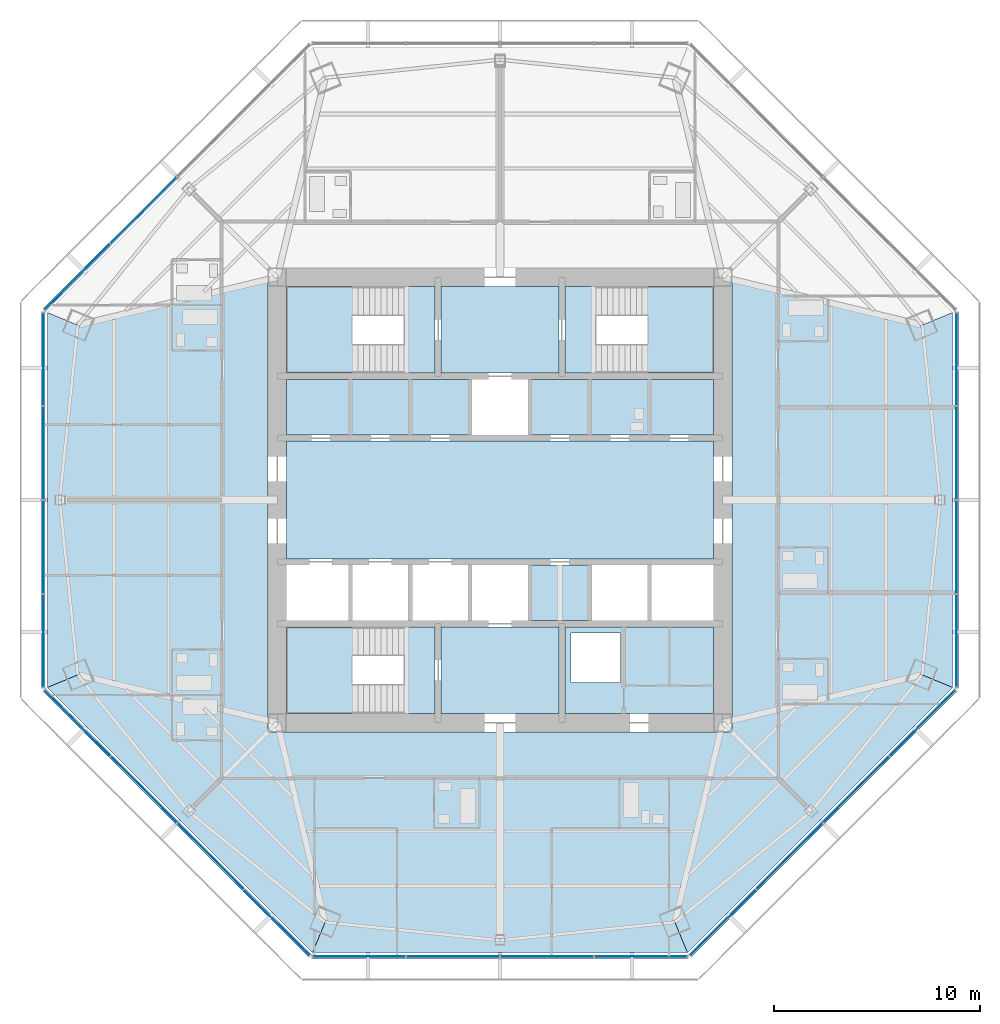
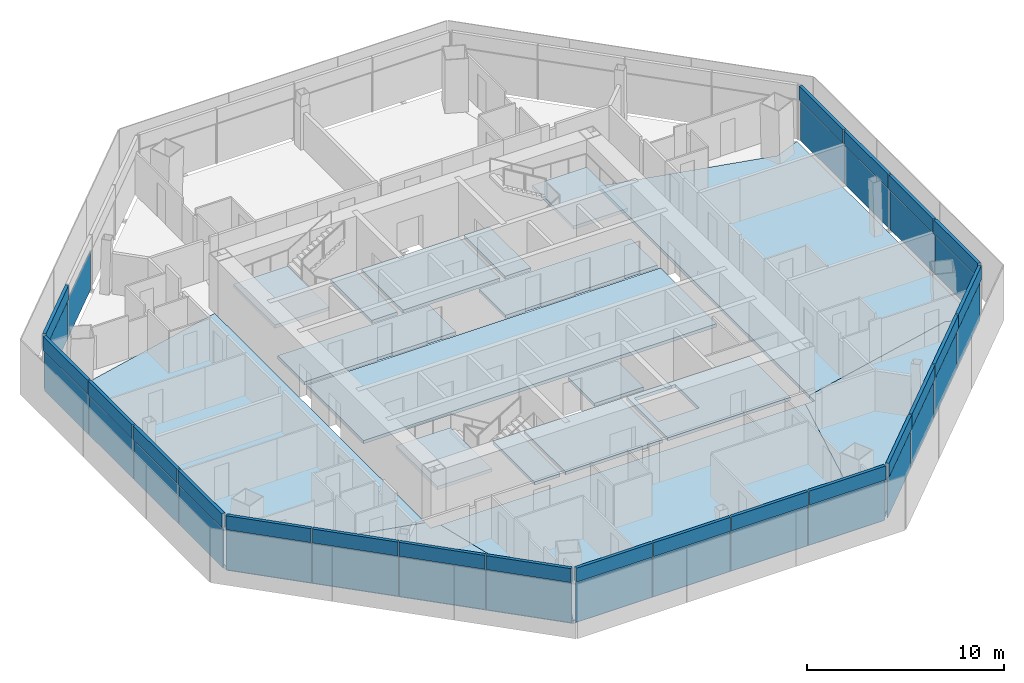
# One storey, part 7 of 15: 43 plates, 18 slabs, 9 elements without a shape of their own.
"""IFC4 building model written with IfcOpenShell, lengths in metres."""

import ifcopenshell
import ifcopenshell.guid

model = None  # the IFC model being written
_history = None  # IfcOwnerHistory: only IFC2X3 demands one
_inside = {}  # id of a spatial element -> (the spatial element, [elements in it])
_under = {}  # id of a project, library or spatial element -> (it, [spatial elements below it])
_declared = {}  # id of a project -> (the project, [libraries it declares])
_typed = {}  # id of a type object -> (the type object, [elements of that type])
_made_of = {}  # id of a material, layer set ... -> (it, [elements and type objects made of it])


def new_model(schema):
    """Start an empty IFC model of exactly this schema.

    Asked for "IFC4X3", IfcOpenShell would pick the latest addendum, in which some entities
    have other attributes; the version numbers below select the first issue.
    IFC2X3 requires an IfcOwnerHistory on every rooted entity: one is made here for all.
    """
    global model, _history
    if schema == "IFC4X3":
        model = ifcopenshell.file(schema_version=(4, 3, 0, 0))
    else:
        model = ifcopenshell.file(schema=schema)
    _inside.clear()
    _under.clear()
    _declared.clear()
    _typed.clear()
    _made_of.clear()
    _history = None
    if model.schema == "IFC2X3":
        org = make("IfcOrganization", Name="unknown")
        user = make(
            "IfcPersonAndOrganization",
            ThePerson=make("IfcPerson", FamilyName="unknown"),
            TheOrganization=org,
        )
        app = make(
            "IfcApplication",
            ApplicationDeveloper=org,
            Version="unknown",
            ApplicationFullName="unknown",
            ApplicationIdentifier="unknown",
        )
        _history = make(
            "IfcOwnerHistory",
            OwningUser=user,
            OwningApplication=app,
            ChangeAction="ADDED",
            CreationDate=0,
        )
    return model


def make(cls, **values):
    """One entity of the class cls with the attributes given. An attribute that is None is left unset."""
    return model.create_entity(
        cls, **{name: value for name, value in values.items() if value is not None}
    )


def rooted(cls, **values):
    """An entity with a GlobalId (a new one), such as an element, a storey or a relation."""
    return make(cls, GlobalId=ifcopenshell.guid.new(), OwnerHistory=_history, **values)


def si_unit(unit_type, name, prefix=None):
    """IfcSIUnit, for example si_unit("LENGTHUNIT", "METRE", prefix="MILLI")."""
    return make("IfcSIUnit", UnitType=unit_type, Prefix=prefix, Name=name)


def assignment(units):
    """IfcUnitAssignment: the units of a project."""
    return None if units is None else make("IfcUnitAssignment", Units=units)


def point(xyz):
    """IfcCartesianPoint."""
    return None if xyz is None else make("IfcCartesianPoint", Coordinates=xyz)


def direction(xyz):
    """IfcDirection."""
    return None if xyz is None else make("IfcDirection", DirectionRatios=xyz)


def frame(location, z_axis=None, x_axis=None):
    """IfcAxis2Placement3D, a coordinate frame: its origin and axes. An axis left out is left unset."""
    return make(
        "IfcAxis2Placement3D",
        Location=point(location),
        Axis=direction(z_axis),
        RefDirection=direction(x_axis),
    )


def frame_2d(location, x_axis=None):
    """IfcAxis2Placement2D, a coordinate frame in the plane: its origin and x axis."""
    return make(
        "IfcAxis2Placement2D", Location=point(location), RefDirection=direction(x_axis)
    )


def origin():
    """The frame at (0, 0, 0) with its axes left unset."""
    return frame((0.0, 0.0, 0.0))


def origin_2d():
    """The frame at (0, 0) in the plane with its x axis left unset."""
    return frame_2d((0.0, 0.0))


def place(relative_to, where):
    """IfcLocalPlacement: puts the frame where relative to a parent placement (None: the world)."""
    return make(
        "IfcLocalPlacement", PlacementRelTo=relative_to, RelativePlacement=where
    )


def context(
    kind, dimensions, precision=None, world=None, true_north=None, identifier=None
):
    """IfcGeometricRepresentationContext, for example the 3D "Model" context."""
    return make(
        "IfcGeometricRepresentationContext",
        ContextIdentifier=identifier,
        ContextType=kind,
        CoordinateSpaceDimension=dimensions,
        Precision=precision,
        WorldCoordinateSystem=world,
        TrueNorth=true_north,
    )


def subcontext(parent, identifier, kind, view, scale=None):
    """IfcGeometricRepresentationSubContext, for example "Body" below "Model"."""
    return make(
        "IfcGeometricRepresentationSubContext",
        ContextIdentifier=identifier,
        ContextType=kind,
        ParentContext=parent,
        TargetScale=scale,
        TargetView=view,
    )


def project(units=None, contexts=None):
    """IfcProject with its units and contexts."""
    return rooted(
        "IfcProject",
        Name="project",
        RepresentationContexts=contexts,
        UnitsInContext=assignment(units),
    )


def spatial(cls, under=None, at=None, **own):
    """A site, building, storey or space (cls), placed at a placement, below another one or the project."""
    s = rooted(cls, ObjectPlacement=at, **own)
    if under is not None:
        _under.setdefault(under.id(), (under, []))[1].append(s)
    return s


def polyline(points):
    """IfcPolyline through the points."""
    return make("IfcPolyline", Points=[point(p) for p in points])


def profile(cls, at=None, kind="AREA", **sizes):
    """A parametric profile (cls). Its sizes go by their IFC names, for example OverallWidth=200.0."""
    return make(cls, ProfileType=kind, Position=at, **sizes)


def rectangle(**sizes):
    """IfcRectangleProfileDef."""
    return profile("IfcRectangleProfileDef", **sizes)


def outline(outer, holes=None, kind="AREA"):
    """IfcArbitraryClosedProfileDef: a profile drawn as a closed curve; with holes, ...WithVoids."""
    if holes is None:
        return make("IfcArbitraryClosedProfileDef", ProfileType=kind, OuterCurve=outer)
    return make(
        "IfcArbitraryProfileDefWithVoids",
        ProfileType=kind,
        OuterCurve=outer,
        InnerCurves=holes,
    )


def extrude(swept, where, along, depth):
    """IfcExtrudedAreaSolid: the profile swept, set in the frame where, extruded along a direction by depth."""
    return make(
        "IfcExtrudedAreaSolid",
        SweptArea=swept,
        Position=where,
        ExtrudedDirection=direction(along),
        Depth=depth,
    )


def shape(context_of_items, identifier, shape_type, items):
    """IfcShapeRepresentation: the items that make up one representation, for example the "Body"."""
    return make(
        "IfcShapeRepresentation",
        ContextOfItems=context_of_items,
        RepresentationIdentifier=identifier,
        RepresentationType=shape_type,
        Items=items,
    )


def source(mapping_origin, context_of_items, identifier, shape_type, items):
    """IfcRepresentationMap: a shape defined once, which mapped items show again and again."""
    return make(
        "IfcRepresentationMap",
        MappingOrigin=mapping_origin,
        MappedRepresentation=shape(context_of_items, identifier, shape_type, items),
    )


def transform(
    local_origin,
    x_axis=None,
    y_axis=None,
    z_axis=None,
    scale=None,
    scale2=None,
    scale3=None,
    uniform=True,
):
    """IfcCartesianTransformationOperator3D, or its non-uniform kind. x_axis, y_axis, z_axis: its Axis1, 2, 3."""
    if uniform:
        return make(
            "IfcCartesianTransformationOperator3D",
            Axis1=direction(x_axis),
            Axis2=direction(y_axis),
            LocalOrigin=point(local_origin),
            Scale=scale,
            Axis3=direction(z_axis),
        )
    return make(
        "IfcCartesianTransformationOperator3DnonUniform",
        Axis1=direction(x_axis),
        Axis2=direction(y_axis),
        LocalOrigin=point(local_origin),
        Scale=scale,
        Axis3=direction(z_axis),
        Scale2=scale2,
        Scale3=scale3,
    )


def mapped(mapping_source, mapping_target):
    """IfcMappedItem: shows the shape of a source again, moved by a transform."""
    return make(
        "IfcMappedItem", MappingSource=mapping_source, MappingTarget=mapping_target
    )


def material(Name=None, Category=None):
    """IfcMaterial."""
    return make("IfcMaterial", Name=Name, Category=Category)


def layer(
    of_material, thickness, ventilated=None, Name=None, Category=None, Priority=None
):
    """IfcMaterialLayer: one layer of a wall or slab, of a material (None: an air gap)."""
    return make(
        "IfcMaterialLayer",
        Material=of_material,
        LayerThickness=thickness,
        IsVentilated=ventilated,
        Name=Name,
        Category=Category,
        Priority=Priority,
    )


def layer_set(layers, Name=None):
    """IfcMaterialLayerSet."""
    return make("IfcMaterialLayerSet", MaterialLayers=layers, LayerSetName=Name)


def made_of(thing, what):
    """Note that an element or type object is made of a material, layer set ...; save() writes the relation."""
    if what is not None:
        _made_of.setdefault(what.id(), (what, []))[1].append(thing)
    return thing


def type_object(cls, material=None, **own):
    """A type object (cls), such as IfcWallType, which elements share."""
    return made_of(rooted(cls, **own), material)


def type_shapes(of_type, sources):
    """Give a type object the sources (RepresentationMaps) that its elements show as mapped items."""
    of_type.RepresentationMaps = sources


def element(
    cls,
    number,
    at=None,
    inside=None,
    cuts=None,
    type_object=None,
    material=None,
    context=None,
    identifier="Body",
    shape_type=None,
    held_by="IfcProductDefinitionShape",
    body=None,
    shapes=None,
    **own,
):
    """One element of the class cls, such as IfcWall. Its Tag is "e" and its number.

    at: its placement. inside: the storey or other place that contains it. cuts: it is an
    opening in that element (IfcRelVoidsElement). A single representation is given by context,
    identifier, shape_type and body (its items); several are given by shapes. held_by: the class
    of the entity that holds the representations. save() writes the other relations.
    """
    e = rooted(cls, Tag="e%d" % number, ObjectPlacement=at, **own)
    if body is not None:
        shapes = [shape(context, identifier, shape_type, body)]
    if shapes is not None:
        e.Representation = make(held_by, Representations=shapes)
    if inside is not None:
        _inside.setdefault(inside.id(), (inside, []))[1].append(e)
    if cuts is not None:
        rooted(
            "IfcRelVoidsElement", RelatingBuildingElement=cuts, RelatedOpeningElement=e
        )
    if type_object is not None:
        _typed.setdefault(type_object.id(), (type_object, []))[1].append(e)
    return made_of(e, material)


def aggregate(whole, parts):
    """IfcRelAggregates: a whole, such as a stair, and the parts it consists of."""
    return rooted("IfcRelAggregates", RelatingObject=whole, RelatedObjects=parts)


def save(model, path):
    """Write the relations noted so far, then the file.

    IfcRelAggregates (storeys below a building ...), IfcRelContainedInSpatialStructure (elements
    in a storey), IfcRelDefinesByType, IfcRelAssociatesMaterial and IfcRelDeclares: one each for
    every whole, place, type object, material and project.
    """
    for whole, parts in _under.values():
        aggregate(whole, parts)
    for where, things in _inside.values():
        rooted(
            "IfcRelContainedInSpatialStructure",
            RelatedElements=things,
            RelatingStructure=where,
        )
    for kind, things in _typed.values():
        rooted("IfcRelDefinesByType", RelatedObjects=things, RelatingType=kind)
    for what, things in _made_of.values():
        rooted("IfcRelAssociatesMaterial", RelatedObjects=things, RelatingMaterial=what)
    for by, libraries in _declared.values():
        rooted("IfcRelDeclares", RelatingContext=by, RelatedDefinitions=libraries)
    model.write(path)


model = new_model("IFC4")

# Units and contexts
model_context = context("Model", 3, precision=1e-05, world=origin(), true_north=direction((0.0, 1.0)))
body_context = subcontext(model_context, "Body", "Model", "MODEL_VIEW")
ifc_project = project(units=[si_unit("LENGTHUNIT", "METRE"), si_unit("AREAUNIT", "SQUARE_METRE"), si_unit("VOLUMEUNIT", "CUBIC_METRE"), si_unit("PLANEANGLEUNIT", "RADIAN"), si_unit("MASSUNIT", "GRAM", prefix="KILO")], contexts=[model_context])

# Site, building, storey
site_placement = place(None, origin())
site = spatial("IfcSite", under=ifc_project, at=site_placement, CompositionType="ELEMENT")
building_placement = place(site_placement, origin())
building = spatial("IfcBuilding", under=site, at=building_placement, Name="Mashrafa Tower", CompositionType="ELEMENT")
storey_placement = place(building_placement, frame((0.0, 0.0, 207.39990234375)))
storey = spatial("IfcBuildingStorey", under=building, at=storey_placement, Name="L47", CompositionType="ELEMENT", Elevation=207.39990234375)

# Slabs
ifc_material_1 = material(Name="Concrete C35/45", Category="concrete")
ifc_layer_1 = layer(ifc_material_1, 0.199951171875)
ifc_layer_set_1 = layer_set([ifc_layer_1], Name="Floor slab 200")
slab_type_1 = type_object("IfcSlabType", Name="Floor slab 200", PredefinedType="FLOOR", material=ifc_layer_set_1)
slab_1_placement = place(storey_placement, frame((0.0, 0.0, -0.199951171875)))
element("IfcSlab", 1, at=slab_1_placement, inside=storey, type_object=slab_type_1, Name="Floor slab L47 east bay", PredefinedType="FLOOR", context=body_context, shape_type="SweptSolid", body=[
    extrude(outline(polyline([(21.94775390625, 9.091064453125), (21.94775390625, -9.091064453125), (21.94775390625, -9.091064453125), (20.47509765625, -8.481201171875), (11.25, -10.692138671875), (11.25, 10.692138671875), (20.47509765625, 8.481201171875), (21.94775390625, 9.091064453125), (21.94775390625, 9.091064453125)])), origin(), (0.0, 0.0, 1.0), 0.199951171875),
])
slab_2_placement = place(storey_placement, frame((0.0, 0.0, -0.199951171875)))
element("IfcSlab", 2, at=slab_2_placement, inside=storey, type_object=slab_type_1, Name="Floor slab L47 west bay", PredefinedType="FLOOR", context=body_context, shape_type="SweptSolid", body=[
    extrude(outline(polyline([(-21.94775390625, -9.091064453125), (-21.94775390625, 9.091064453125), (-21.94775390625, 9.091064453125), (-20.47509765625, 8.481201171875), (-11.25, 10.692138671875), (-11.25, -10.692138671875), (-20.47509765625, -8.481201171875), (-21.94775390625, -9.091064453125), (-21.94775390625, -9.091064453125)])), origin(), (0.0, 0.0, 1.0), 0.199951171875),
])
slab_3_placement = place(storey_placement, frame((0.0, 0.0, -0.199951171875)))
element("IfcSlab", 3, at=slab_3_placement, inside=storey, type_object=slab_type_1, Name="Floor slab L47 south-west bay", PredefinedType="FLOOR", context=body_context, shape_type="SweptSolid", body=[
    extrude(outline(polyline([(-21.94775390625, -9.091064453125), (-20.47509765625, -8.481201171875), (-11.25, -10.692138671875), (-11.25, -11.25), (-10.692138671875, -11.25), (-8.481201171875, -20.47509765625), (-9.091064453125, -21.94775390625), (-21.94775390625, -9.091064453125)])), origin(), (0.0, 0.0, 1.0), 0.199951171875),
])
slab_4_placement = place(storey_placement, frame((0.0, 0.0, -0.199951171875)))
element("IfcSlab", 4, at=slab_4_placement, inside=storey, type_object=slab_type_1, Name="Floor slab L47 south bay", PredefinedType="FLOOR", context=body_context, shape_type="SweptSolid", body=[
    extrude(outline(polyline([(-9.091064453125, -21.94775390625), (-9.091064453125, -21.94775390625), (-8.481201171875, -20.47509765625), (-10.692138671875, -11.25), (10.692138671875, -11.25), (8.481201171875, -20.47509765625), (9.091064453125, -21.94775390625), (9.091064453125, -21.94775390625), (-9.091064453125, -21.94775390625)])), origin(), (0.0, 0.0, 1.0), 0.199951171875),
])
slab_5_placement = place(storey_placement, frame((0.0, 0.0, -0.199951171875)))
element("IfcSlab", 5, at=slab_5_placement, inside=storey, type_object=slab_type_1, Name="Floor slab L47 south-east bay", PredefinedType="FLOOR", context=body_context, shape_type="SweptSolid", body=[
    extrude(outline(polyline([(9.091064453125, -21.94775390625), (8.481201171875, -20.47509765625), (10.692138671875, -11.25), (11.25, -11.25), (11.25, -10.692138671875), (20.47509765625, -8.481201171875), (21.94775390625, -9.091064453125), (9.091064453125, -21.94775390625)])), origin(), (0.0, 0.0, 1.0), 0.199951171875),
])
slab_6_placement = place(storey_placement, frame((0.0, 0.0, -0.199951171875)))
element("IfcSlab", 6, at=slab_6_placement, inside=storey, type_object=slab_type_1, Name="Core floor lift hall L47", PredefinedType="FLOOR", context=body_context, shape_type="SweptSolid", body=[
    extrude(outline(polyline([(-10.35009765625, 2.85009765625), (10.35009765625, 2.85009765625), (10.35009765625, -2.85009765625), (-10.35009765625, -2.85009765625), (-10.35009765625, 2.85009765625)])), origin(), (0.0, 0.0, 1.0), 0.199951171875),
])
slab_7_placement = place(storey_placement, frame((0.0, 0.0, -0.199951171875)))
element("IfcSlab", 7, at=slab_7_placement, inside=storey, type_object=slab_type_1, Name="Core floor riser and electrical band L47", PredefinedType="FLOOR", context=body_context, shape_type="SweptSolid", body=[
    extrude(outline(polyline([(10.35009765625, -6.14990234375), (10.35009765625, -10.35009765625), (3.14990234375, -10.35009765625), (3.14990234375, -6.14990234375), (10.35009765625, -6.14990234375)]), holes=[polyline([(3.449951171875, -8.85009765625), (5.85009765625, -8.85009765625), (5.85009765625, -6.449951171875), (3.449951171875, -6.449951171875), (3.449951171875, -8.85009765625)])]), origin(), (0.0, 0.0, 1.0), 0.199951171875),
])
slab_8_placement = place(storey_placement, frame((0.0, 0.0, -0.199951171875)))
element("IfcSlab", 8, at=slab_8_placement, inside=storey, type_object=slab_type_1, Name="Core floor lift cell L47", PredefinedType="FLOOR", context=body_context, shape_type="SweptSolid", body=[
    extrude(outline(polyline([(-10.35009765625, 5.85009765625), (-1.449951171875, 5.85009765625), (-1.449951171875, 3.14990234375), (-10.35009765625, 3.14990234375), (-10.35009765625, 5.85009765625)])), origin(), (0.0, 0.0, 1.0), 0.199951171875),
])
slab_9_placement = place(storey_placement, frame((0.0, 0.0, -0.199951171875)))
element("IfcSlab", 9, at=slab_9_placement, inside=storey, type_object=slab_type_1, Name="Core floor lift cell L47", PredefinedType="FLOOR", context=body_context, shape_type="SweptSolid", body=[
    extrude(outline(polyline([(1.449951171875, 5.85009765625), (10.35009765625, 5.85009765625), (10.35009765625, 3.14990234375), (1.449951171875, 3.14990234375), (1.449951171875, 5.85009765625)])), origin(), (0.0, 0.0, 1.0), 0.199951171875),
])
slab_10_placement = place(storey_placement, frame((0.0, 0.0, -0.199951171875)))
element("IfcSlab", 10, at=slab_10_placement, inside=storey, type_object=slab_type_1, Name="Core floor fire-fighting lobby south L47", PredefinedType="FLOOR", context=body_context, shape_type="SweptSolid", body=[
    extrude(outline(polyline([(2.85009765625, -6.14990234375), (2.85009765625, -10.35009765625), (-2.85009765625, -10.35009765625), (-2.85009765625, -6.14990234375), (2.85009765625, -6.14990234375)])), origin(), (0.0, 0.0, 1.0), 0.199951171875),
])
slab_11_placement = place(storey_placement, frame((0.0, 0.0, -0.199951171875)))
element("IfcSlab", 11, at=slab_11_placement, inside=storey, type_object=slab_type_1, Name="Core floor fire-fighting lobby north L47", PredefinedType="FLOOR", context=body_context, shape_type="SweptSolid", body=[
    extrude(outline(polyline([(-2.85009765625, 10.35009765625), (2.85009765625, 10.35009765625), (2.85009765625, 6.14990234375), (-2.85009765625, 6.14990234375), (-2.85009765625, 10.35009765625)])), origin(), (0.0, 0.0, 1.0), 0.199951171875),
])
slab_12_placement = place(storey_placement, frame((0.0, 0.0, -0.199951171875)))
element("IfcSlab", 12, at=slab_12_placement, inside=storey, type_object=slab_type_1, Name="Core floor lift cell L47", PredefinedType="FLOOR", context=body_context, shape_type="SweptSolid", body=[
    extrude(outline(polyline([(4.35009765625, -3.14990234375), (4.35009765625, -5.85009765625), (1.449951171875, -5.85009765625), (1.449951171875, -3.14990234375), (4.35009765625, -3.14990234375)])), origin(), (0.0, 0.0, 1.0), 0.199951171875),
])

# Stair, slabs
ifc_material_2 = material(Name="Exit stair 1400")
stair_type = type_object("IfcStairType", Name="Exit stair 1400", PredefinedType="HALF_TURN_STAIR", material=ifc_material_2)
stair_1_placement = place(storey_placement, origin())
stair_1 = element("IfcStair", 13, at=stair_1_placement, inside=storey, type_object=stair_type, Name="Stair S1 L47", PredefinedType="HALF_TURN_STAIR")
ifc_material_3 = material(Name="Concrete C32/40", Category="concrete")
ifc_layer_2 = layer(ifc_material_3, 0.199951171875)
ifc_layer_set_2 = layer_set([ifc_layer_2], Name="Stair landing 200")
slab_type_2 = type_object("IfcSlabType", Name="Stair landing 200", PredefinedType="LANDING", material=ifc_layer_set_2)
slab_13_placement = place(storey_placement, frame((0.0, 0.0, -0.199951171875)))
slab_13 = element("IfcSlab", 14, at=slab_13_placement, type_object=slab_type_2, Name="S1 landing 1", PredefinedType="LANDING", context=body_context, shape_type="SweptSolid", body=[
    extrude(outline(polyline([(-4.659912109375, 6.14990234375), (-3.14990234375, 6.14990234375), (-3.14990234375, 10.35009765625), (-4.659912109375, 10.35009765625), (-4.659912109375, 6.14990234375)])), origin(), (0.0, 0.0, 1.0), 0.199951171875),
])
slab_14_placement = place(storey_placement, frame((0.0, 0.0, 1.5)))
slab_14 = element("IfcSlab", 15, at=slab_14_placement, type_object=slab_type_2, Name="S1 landing 2", PredefinedType="LANDING", context=body_context, shape_type="SweptSolid", body=[
    extrude(outline(polyline([(-10.35009765625, 6.14990234375), (-7.159912109375, 6.14990234375), (-7.159912109375, 10.35009765625), (-10.35009765625, 10.35009765625), (-10.35009765625, 6.14990234375)])), origin(), (0.0, 0.0, 1.0), 0.2001953125),
])
aggregate(stair_1, [slab_13, slab_14])

stair_2_placement = place(storey_placement, origin())
stair_2 = element("IfcStair", 16, at=stair_2_placement, inside=storey, type_object=stair_type, Name="Stair S2 L47", PredefinedType="HALF_TURN_STAIR")
slab_15_placement = place(storey_placement, frame((0.0, 0.0, -0.199951171875)))
slab_15 = element("IfcSlab", 17, at=slab_15_placement, type_object=slab_type_2, Name="S2 landing 1", PredefinedType="LANDING", context=body_context, shape_type="SweptSolid", body=[
    extrude(outline(polyline([(3.14990234375, 6.14990234375), (4.659912109375, 6.14990234375), (4.659912109375, 10.35009765625), (3.14990234375, 10.35009765625), (3.14990234375, 6.14990234375)])), origin(), (0.0, 0.0, 1.0), 0.199951171875),
])
slab_16_placement = place(storey_placement, frame((0.0, 0.0, 1.5)))
slab_16 = element("IfcSlab", 18, at=slab_16_placement, type_object=slab_type_2, Name="S2 landing 2", PredefinedType="LANDING", context=body_context, shape_type="SweptSolid", body=[
    extrude(outline(polyline([(7.159912109375, 6.14990234375), (10.35009765625, 6.14990234375), (10.35009765625, 10.35009765625), (7.159912109375, 10.35009765625), (7.159912109375, 6.14990234375)])), origin(), (0.0, 0.0, 1.0), 0.2001953125),
])
aggregate(stair_2, [slab_15, slab_16])

stair_3_placement = place(storey_placement, origin())
stair_3 = element("IfcStair", 19, at=stair_3_placement, inside=storey, type_object=stair_type, Name="Stair S3 L47", PredefinedType="HALF_TURN_STAIR")
slab_17_placement = place(storey_placement, frame((0.0, 0.0, -0.199951171875)))
slab_17 = element("IfcSlab", 20, at=slab_17_placement, type_object=slab_type_2, Name="S3 landing 1", PredefinedType="LANDING", context=body_context, shape_type="SweptSolid", body=[
    extrude(outline(polyline([(-4.659912109375, -10.35009765625), (-3.14990234375, -10.35009765625), (-3.14990234375, -6.14990234375), (-4.659912109375, -6.14990234375), (-4.659912109375, -10.35009765625)])), origin(), (0.0, 0.0, 1.0), 0.199951171875),
])
slab_18_placement = place(storey_placement, frame((0.0, 0.0, 1.5)))
slab_18 = element("IfcSlab", 21, at=slab_18_placement, type_object=slab_type_2, Name="S3 landing 2", PredefinedType="LANDING", context=body_context, shape_type="SweptSolid", body=[
    extrude(outline(polyline([(-10.35009765625, -10.35009765625), (-7.159912109375, -10.35009765625), (-7.159912109375, -6.14990234375), (-10.35009765625, -6.14990234375), (-10.35009765625, -10.35009765625)])), origin(), (0.0, 0.0, 1.0), 0.2001953125),
])
aggregate(stair_3, [slab_17, slab_18])

# Curtain wall, plates
ifc_material_4 = material(Name="Unitised aluminium curtain wall", Category="aluminium")
curtain_wall_type = type_object("IfcCurtainWallType", Name="Apartment curtain wall, zone 3 CW-C 180 deep", PredefinedType="NOTDEFINED", material=ifc_material_4)
curtain_wall_1_placement = place(storey_placement, origin())
curtain_wall_1 = element("IfcCurtainWall", 22, at=curtain_wall_1_placement, inside=storey, type_object=curtain_wall_type, Name="Apartment curtain wall, zone 3 L47 east", PredefinedType="NOTDEFINED")
ifc_material_5 = material(Name="Insulated double glazing, acoustic", Category="glass")
ifc_layer_3 = layer(ifc_material_5, 0.028076171875)
ifc_layer_set_3 = layer_set([ifc_layer_3], Name="Vision panel CW-C 28")
plate_type_1 = type_object("IfcPlateType", Name="Vision panel CW-C 28", PredefinedType="CURTAIN_PANEL", material=ifc_layer_set_3)
shared_shape_1 = source(origin(), body_context, "Body", "SweptSolid", [
    extrude(rectangle(XDim=4.473388671875, YDim=0.028076171875, at=origin_2d()), origin(), (0.0, 0.0, 1.0), 2.46240234375),
])
plate_1_placement = place(storey_placement, frame((22.147705078125, -6.829833984375, 0.000244140625), z_axis=(0.0, 0.0, 1.0), x_axis=(0.0, 1.0, 0.0)))
plate_1 = element("IfcPlate", 23, at=plate_1_placement, type_object=plate_type_1, Name="CW-C vision panel 1", PredefinedType="CURTAIN_PANEL", context=body_context, shape_type="MappedRepresentation", body=[
    mapped(shared_shape_1, transform((0.0, 0.0, 0.0))),
])
plate_2_placement = place(storey_placement, frame((22.147705078125, 6.829833984375, 0.000244140625), z_axis=(0.0, 0.0, 1.0), x_axis=(0.0, 1.0, 0.0)))
plate_2 = element("IfcPlate", 24, at=plate_2_placement, type_object=plate_type_1, Name="CW-C vision panel 4", PredefinedType="CURTAIN_PANEL", context=body_context, shape_type="MappedRepresentation", body=[
    mapped(shared_shape_1, transform((0.0, 0.0, 0.0))),
])

# Curtain wall, plate
curtain_wall_2_placement = place(storey_placement, origin())
curtain_wall_2 = element("IfcCurtainWall", 25, at=curtain_wall_2_placement, inside=storey, type_object=curtain_wall_type, Name="Apartment curtain wall, zone 3 L47 north-west", PredefinedType="NOTDEFINED")
plate_3_placement = place(storey_placement, frame((-20.490234375, 10.831298828125, 0.000244140625), z_axis=(0.0, 0.0, 1.0), x_axis=(-0.707106781187, -0.707106781187, 0.0)))
plate_3 = element("IfcPlate", 26, at=plate_3_placement, type_object=plate_type_1, Name="CW-C vision panel 4", PredefinedType="CURTAIN_PANEL", context=body_context, shape_type="MappedRepresentation", body=[
    mapped(shared_shape_1, transform((0.0, 0.0, 0.0))),
])

# Curtain wall, plates
curtain_wall_3_placement = place(storey_placement, origin())
curtain_wall_3 = element("IfcCurtainWall", 27, at=curtain_wall_3_placement, inside=storey, type_object=curtain_wall_type, Name="Apartment curtain wall, zone 3 L47 west", PredefinedType="NOTDEFINED")
plate_4_placement = place(storey_placement, frame((-22.147705078125, 6.829833984375, 0.000244140625), z_axis=(0.0, 0.0, 1.0), x_axis=(0.0, -1.0, 0.0)))
plate_4 = element("IfcPlate", 28, at=plate_4_placement, type_object=plate_type_1, Name="CW-C vision panel 1", PredefinedType="CURTAIN_PANEL", context=body_context, shape_type="MappedRepresentation", body=[
    mapped(shared_shape_1, transform((0.0, 0.0, 0.0))),
])
plate_5_placement = place(storey_placement, frame((-22.147705078125, -6.829833984375, 0.000244140625), z_axis=(0.0, 0.0, 1.0), x_axis=(0.0, -1.0, 0.0)))
plate_5 = element("IfcPlate", 29, at=plate_5_placement, type_object=plate_type_1, Name="CW-C vision panel 4", PredefinedType="CURTAIN_PANEL", context=body_context, shape_type="MappedRepresentation", body=[
    mapped(shared_shape_1, transform((0.0, 0.0, 0.0))),
])

curtain_wall_4_placement = place(storey_placement, origin())
curtain_wall_4 = element("IfcCurtainWall", 30, at=curtain_wall_4_placement, inside=storey, type_object=curtain_wall_type, Name="Apartment curtain wall, zone 3 L47 south-west", PredefinedType="NOTDEFINED")
plate_6_placement = place(storey_placement, frame((-20.490234375, -10.831298828125, 0.000244140625), z_axis=(0.0, 0.0, 1.0), x_axis=(0.707106781187, -0.707106781187, 0.0)))
plate_6 = element("IfcPlate", 31, at=plate_6_placement, type_object=plate_type_1, Name="CW-C vision panel 1", PredefinedType="CURTAIN_PANEL", context=body_context, shape_type="MappedRepresentation", body=[
    mapped(shared_shape_1, transform((0.0, 0.0, 0.0))),
])
plate_7_placement = place(storey_placement, frame((-10.831298828125, -20.490234375, 0.000244140625), z_axis=(0.0, 0.0, 1.0), x_axis=(0.707106781187, -0.707106781187, 0.0)))
plate_7 = element("IfcPlate", 32, at=plate_7_placement, type_object=plate_type_1, Name="CW-C vision panel 4", PredefinedType="CURTAIN_PANEL", context=body_context, shape_type="MappedRepresentation", body=[
    mapped(shared_shape_1, transform((0.0, 0.0, 0.0))),
])

curtain_wall_5_placement = place(storey_placement, origin())
curtain_wall_5 = element("IfcCurtainWall", 33, at=curtain_wall_5_placement, inside=storey, type_object=curtain_wall_type, Name="Apartment curtain wall, zone 3 L47 south", PredefinedType="NOTDEFINED")
plate_8_placement = place(storey_placement, frame((-6.829833984375, -22.147705078125, 0.000244140625), z_axis=(0.0, 0.0, 1.0), x_axis=(1.0, 0.0, 0.0)))
plate_8 = element("IfcPlate", 34, at=plate_8_placement, type_object=plate_type_1, Name="CW-C vision panel 1", PredefinedType="CURTAIN_PANEL", context=body_context, shape_type="MappedRepresentation", body=[
    mapped(shared_shape_1, transform((0.0, 0.0, 0.0))),
])
plate_9_placement = place(storey_placement, frame((6.829833984375, -22.147705078125, 0.000244140625), z_axis=(0.0, 0.0, 1.0), x_axis=(1.0, 0.0, 0.0)))
plate_9 = element("IfcPlate", 35, at=plate_9_placement, type_object=plate_type_1, Name="CW-C vision panel 4", PredefinedType="CURTAIN_PANEL", context=body_context, shape_type="MappedRepresentation", body=[
    mapped(shared_shape_1, transform((0.0, 0.0, 0.0))),
])

curtain_wall_6_placement = place(storey_placement, origin())
curtain_wall_6 = element("IfcCurtainWall", 36, at=curtain_wall_6_placement, inside=storey, type_object=curtain_wall_type, Name="Apartment curtain wall, zone 3 L47 south-east", PredefinedType="NOTDEFINED")
plate_10_placement = place(storey_placement, frame((10.831298828125, -20.490234375, 0.000244140625), z_axis=(0.0, 0.0, 1.0), x_axis=(0.707106781187, 0.707106781187, 0.0)))
plate_10 = element("IfcPlate", 37, at=plate_10_placement, type_object=plate_type_1, Name="CW-C vision panel 1", PredefinedType="CURTAIN_PANEL", context=body_context, shape_type="MappedRepresentation", body=[
    mapped(shared_shape_1, transform((0.0, 0.0, 0.0))),
])
plate_11_placement = place(storey_placement, frame((20.490234375, -10.831298828125, 0.000244140625), z_axis=(0.0, 0.0, 1.0), x_axis=(0.707106781187, 0.707106781187, 0.0)))
plate_11 = element("IfcPlate", 38, at=plate_11_placement, type_object=plate_type_1, Name="CW-C vision panel 4", PredefinedType="CURTAIN_PANEL", context=body_context, shape_type="MappedRepresentation", body=[
    mapped(shared_shape_1, transform((0.0, 0.0, 0.0))),
])

# Plate
ifc_material_6 = material(Name="Insulated bronze aluminium spandrel panel", Category="aluminium")
ifc_layer_4 = layer(ifc_material_6, 0.179931640625)
ifc_layer_set_4 = layer_set([ifc_layer_4], Name="Spandrel panel CW-C 180")
plate_type_2 = type_object("IfcPlateType", Name="Spandrel panel CW-C 180", PredefinedType="CURTAIN_PANEL", material=ifc_layer_set_4)
shared_shape_2 = source(origin(), body_context, "Body", "SweptSolid", [
    extrude(rectangle(XDim=4.473388671875, YDim=0.179931640625, at=origin_2d()), origin(), (0.0, 0.0, 1.0), 0.862548828125),
])
plate_12_placement = place(storey_placement, frame((22.147705078125, -6.829833984375, 2.53759765625), z_axis=(0.0, 0.0, 1.0), x_axis=(0.0, 1.0, 0.0)))
plate_12 = element("IfcPlate", 39, at=plate_12_placement, type_object=plate_type_2, Name="CW-C spandrel panel 1", PredefinedType="CURTAIN_PANEL", context=body_context, shape_type="MappedRepresentation", body=[
    mapped(shared_shape_2, transform((0.0, 0.0, 0.0))),
])

plate_13_placement = place(storey_placement, frame((22.147705078125, 6.829833984375, 2.53759765625), z_axis=(0.0, 0.0, 1.0), x_axis=(0.0, 1.0, 0.0)))
plate_13 = element("IfcPlate", 40, at=plate_13_placement, type_object=plate_type_2, Name="CW-C spandrel panel 4", PredefinedType="CURTAIN_PANEL", context=body_context, shape_type="MappedRepresentation", body=[
    mapped(shared_shape_2, transform((0.0, 0.0, 0.0))),
])

plate_14_placement = place(storey_placement, frame((-20.490234375, 10.831298828125, 2.53759765625), z_axis=(0.0, 0.0, 1.0), x_axis=(-0.707106781187, -0.707106781187, 0.0)))
plate_14 = element("IfcPlate", 41, at=plate_14_placement, type_object=plate_type_2, Name="CW-C spandrel panel 4", PredefinedType="CURTAIN_PANEL", context=body_context, shape_type="MappedRepresentation", body=[
    mapped(shared_shape_2, transform((0.0, 0.0, 0.0))),
])

plate_15_placement = place(storey_placement, frame((-22.147705078125, 6.829833984375, 2.53759765625), z_axis=(0.0, 0.0, 1.0), x_axis=(0.0, -1.0, 0.0)))
plate_15 = element("IfcPlate", 42, at=plate_15_placement, type_object=plate_type_2, Name="CW-C spandrel panel 1", PredefinedType="CURTAIN_PANEL", context=body_context, shape_type="MappedRepresentation", body=[
    mapped(shared_shape_2, transform((0.0, 0.0, 0.0))),
])

plate_16_placement = place(storey_placement, frame((-22.147705078125, -6.829833984375, 2.53759765625), z_axis=(0.0, 0.0, 1.0), x_axis=(0.0, -1.0, 0.0)))
plate_16 = element("IfcPlate", 43, at=plate_16_placement, type_object=plate_type_2, Name="CW-C spandrel panel 4", PredefinedType="CURTAIN_PANEL", context=body_context, shape_type="MappedRepresentation", body=[
    mapped(shared_shape_2, transform((0.0, 0.0, 0.0))),
])

plate_17_placement = place(storey_placement, frame((-20.490234375, -10.831298828125, 2.53759765625), z_axis=(0.0, 0.0, 1.0), x_axis=(0.707106781187, -0.707106781187, 0.0)))
plate_17 = element("IfcPlate", 44, at=plate_17_placement, type_object=plate_type_2, Name="CW-C spandrel panel 1", PredefinedType="CURTAIN_PANEL", context=body_context, shape_type="MappedRepresentation", body=[
    mapped(shared_shape_2, transform((0.0, 0.0, 0.0))),
])

plate_18_placement = place(storey_placement, frame((-10.831298828125, -20.490234375, 2.53759765625), z_axis=(0.0, 0.0, 1.0), x_axis=(0.707106781187, -0.707106781187, 0.0)))
plate_18 = element("IfcPlate", 45, at=plate_18_placement, type_object=plate_type_2, Name="CW-C spandrel panel 4", PredefinedType="CURTAIN_PANEL", context=body_context, shape_type="MappedRepresentation", body=[
    mapped(shared_shape_2, transform((0.0, 0.0, 0.0))),
])

plate_19_placement = place(storey_placement, frame((-6.829833984375, -22.147705078125, 2.53759765625), z_axis=(0.0, 0.0, 1.0), x_axis=(1.0, 0.0, 0.0)))
plate_19 = element("IfcPlate", 46, at=plate_19_placement, type_object=plate_type_2, Name="CW-C spandrel panel 1", PredefinedType="CURTAIN_PANEL", context=body_context, shape_type="MappedRepresentation", body=[
    mapped(shared_shape_2, transform((0.0, 0.0, 0.0))),
])

plate_20_placement = place(storey_placement, frame((6.829833984375, -22.147705078125, 2.53759765625), z_axis=(0.0, 0.0, 1.0), x_axis=(1.0, 0.0, 0.0)))
plate_20 = element("IfcPlate", 47, at=plate_20_placement, type_object=plate_type_2, Name="CW-C spandrel panel 4", PredefinedType="CURTAIN_PANEL", context=body_context, shape_type="MappedRepresentation", body=[
    mapped(shared_shape_2, transform((0.0, 0.0, 0.0))),
])

plate_21_placement = place(storey_placement, frame((10.831298828125, -20.490234375, 2.53759765625), z_axis=(0.0, 0.0, 1.0), x_axis=(0.707106781187, 0.707106781187, 0.0)))
plate_21 = element("IfcPlate", 48, at=plate_21_placement, type_object=plate_type_2, Name="CW-C spandrel panel 1", PredefinedType="CURTAIN_PANEL", context=body_context, shape_type="MappedRepresentation", body=[
    mapped(shared_shape_2, transform((0.0, 0.0, 0.0))),
])

plate_22_placement = place(storey_placement, frame((20.490234375, -10.831298828125, 2.53759765625), z_axis=(0.0, 0.0, 1.0), x_axis=(0.707106781187, 0.707106781187, 0.0)))
plate_22 = element("IfcPlate", 49, at=plate_22_placement, type_object=plate_type_2, Name="CW-C spandrel panel 4", PredefinedType="CURTAIN_PANEL", context=body_context, shape_type="MappedRepresentation", body=[
    mapped(shared_shape_2, transform((0.0, 0.0, 0.0))),
])

shared_shape_3 = source(origin(), body_context, "Body", "SweptSolid", [
    extrude(rectangle(XDim=4.503173828125, YDim=0.028076171875, at=origin_2d()), origin(), (0.0, 0.0, 1.0), 2.46240234375),
])
type_shapes(plate_type_1, [shared_shape_1, shared_shape_3])
plate_23_placement = place(storey_placement, frame((22.147705078125, -2.28173828125, 0.000244140625), z_axis=(0.0, 0.0, 1.0), x_axis=(0.0, 1.0, 0.0)))
plate_23 = element("IfcPlate", 50, at=plate_23_placement, type_object=plate_type_1, Name="CW-C vision panel 2", PredefinedType="CURTAIN_PANEL", context=body_context, shape_type="MappedRepresentation", body=[
    mapped(shared_shape_3, transform((0.0, 0.0, 0.0))),
])

plate_24_placement = place(storey_placement, frame((22.147705078125, 2.28173828125, 0.000244140625), z_axis=(0.0, 0.0, 1.0), x_axis=(0.0, 1.0, 0.0)))
plate_24 = element("IfcPlate", 51, at=plate_24_placement, type_object=plate_type_1, Name="CW-C vision panel 3", PredefinedType="CURTAIN_PANEL", context=body_context, shape_type="MappedRepresentation", body=[
    mapped(shared_shape_3, transform((0.0, 0.0, 0.0))),
])

plate_25_placement = place(storey_placement, frame((-17.274169921875, 14.04736328125, 0.000244140625), z_axis=(0.0, 0.0, 1.0), x_axis=(-0.707106781187, -0.707106781187, 0.0)))
plate_25 = element("IfcPlate", 52, at=plate_25_placement, type_object=plate_type_1, Name="CW-C vision panel 3", PredefinedType="CURTAIN_PANEL", context=body_context, shape_type="MappedRepresentation", body=[
    mapped(shared_shape_3, transform((0.0, 0.0, 0.0))),
])

aggregate(curtain_wall_2, [plate_25, plate_3, plate_14])

plate_26_placement = place(storey_placement, frame((-22.147705078125, 2.28173828125, 0.000244140625), z_axis=(0.0, 0.0, 1.0), x_axis=(0.0, -1.0, 0.0)))
plate_26 = element("IfcPlate", 53, at=plate_26_placement, type_object=plate_type_1, Name="CW-C vision panel 2", PredefinedType="CURTAIN_PANEL", context=body_context, shape_type="MappedRepresentation", body=[
    mapped(shared_shape_3, transform((0.0, 0.0, 0.0))),
])

plate_27_placement = place(storey_placement, frame((-22.147705078125, -2.28173828125, 0.000244140625), z_axis=(0.0, 0.0, 1.0), x_axis=(0.0, -1.0, 0.0)))
plate_27 = element("IfcPlate", 54, at=plate_27_placement, type_object=plate_type_1, Name="CW-C vision panel 3", PredefinedType="CURTAIN_PANEL", context=body_context, shape_type="MappedRepresentation", body=[
    mapped(shared_shape_3, transform((0.0, 0.0, 0.0))),
])

plate_28_placement = place(storey_placement, frame((-17.274169921875, -14.04736328125, 0.000244140625), z_axis=(0.0, 0.0, 1.0), x_axis=(0.707106781187, -0.707106781187, 0.0)))
plate_28 = element("IfcPlate", 55, at=plate_28_placement, type_object=plate_type_1, Name="CW-C vision panel 2", PredefinedType="CURTAIN_PANEL", context=body_context, shape_type="MappedRepresentation", body=[
    mapped(shared_shape_3, transform((0.0, 0.0, 0.0))),
])

plate_29_placement = place(storey_placement, frame((-14.04736328125, -17.274169921875, 0.000244140625), z_axis=(0.0, 0.0, 1.0), x_axis=(0.707106781187, -0.707106781187, 0.0)))
plate_29 = element("IfcPlate", 56, at=plate_29_placement, type_object=plate_type_1, Name="CW-C vision panel 3", PredefinedType="CURTAIN_PANEL", context=body_context, shape_type="MappedRepresentation", body=[
    mapped(shared_shape_3, transform((0.0, 0.0, 0.0))),
])

plate_30_placement = place(storey_placement, frame((-2.28173828125, -22.147705078125, 0.000244140625), z_axis=(0.0, 0.0, 1.0), x_axis=(1.0, 0.0, 0.0)))
plate_30 = element("IfcPlate", 57, at=plate_30_placement, type_object=plate_type_1, Name="CW-C vision panel 2", PredefinedType="CURTAIN_PANEL", context=body_context, shape_type="MappedRepresentation", body=[
    mapped(shared_shape_3, transform((0.0, 0.0, 0.0))),
])

plate_31_placement = place(storey_placement, frame((2.28173828125, -22.147705078125, 0.000244140625), z_axis=(0.0, 0.0, 1.0), x_axis=(1.0, 0.0, 0.0)))
plate_31 = element("IfcPlate", 58, at=plate_31_placement, type_object=plate_type_1, Name="CW-C vision panel 3", PredefinedType="CURTAIN_PANEL", context=body_context, shape_type="MappedRepresentation", body=[
    mapped(shared_shape_3, transform((0.0, 0.0, 0.0))),
])

plate_32_placement = place(storey_placement, frame((14.04736328125, -17.274169921875, 0.000244140625), z_axis=(0.0, 0.0, 1.0), x_axis=(0.707106781187, 0.707106781187, 0.0)))
plate_32 = element("IfcPlate", 59, at=plate_32_placement, type_object=plate_type_1, Name="CW-C vision panel 2", PredefinedType="CURTAIN_PANEL", context=body_context, shape_type="MappedRepresentation", body=[
    mapped(shared_shape_3, transform((0.0, 0.0, 0.0))),
])

plate_33_placement = place(storey_placement, frame((17.274169921875, -14.04736328125, 0.000244140625), z_axis=(0.0, 0.0, 1.0), x_axis=(0.707106781187, 0.707106781187, 0.0)))
plate_33 = element("IfcPlate", 60, at=plate_33_placement, type_object=plate_type_1, Name="CW-C vision panel 3", PredefinedType="CURTAIN_PANEL", context=body_context, shape_type="MappedRepresentation", body=[
    mapped(shared_shape_3, transform((0.0, 0.0, 0.0))),
])

shared_shape_4 = source(origin(), body_context, "Body", "SweptSolid", [
    extrude(rectangle(XDim=4.503173828125, YDim=0.179931640625, at=origin_2d()), origin(), (0.0, 0.0, 1.0), 0.862548828125),
])
type_shapes(plate_type_2, [shared_shape_2, shared_shape_4])
plate_34_placement = place(storey_placement, frame((22.147705078125, -2.28173828125, 2.53759765625), z_axis=(0.0, 0.0, 1.0), x_axis=(0.0, 1.0, 0.0)))
plate_34 = element("IfcPlate", 61, at=plate_34_placement, type_object=plate_type_2, Name="CW-C spandrel panel 2", PredefinedType="CURTAIN_PANEL", context=body_context, shape_type="MappedRepresentation", body=[
    mapped(shared_shape_4, transform((0.0, 0.0, 0.0))),
])

plate_35_placement = place(storey_placement, frame((22.147705078125, 2.28173828125, 2.53759765625), z_axis=(0.0, 0.0, 1.0), x_axis=(0.0, 1.0, 0.0)))
plate_35 = element("IfcPlate", 62, at=plate_35_placement, type_object=plate_type_2, Name="CW-C spandrel panel 3", PredefinedType="CURTAIN_PANEL", context=body_context, shape_type="MappedRepresentation", body=[
    mapped(shared_shape_4, transform((0.0, 0.0, 0.0))),
])

aggregate(curtain_wall_1, [plate_1, plate_12, plate_23, plate_34, plate_24, plate_35, plate_2, plate_13])

plate_36_placement = place(storey_placement, frame((-22.147705078125, 2.28173828125, 2.53759765625), z_axis=(0.0, 0.0, 1.0), x_axis=(0.0, -1.0, 0.0)))
plate_36 = element("IfcPlate", 63, at=plate_36_placement, type_object=plate_type_2, Name="CW-C spandrel panel 2", PredefinedType="CURTAIN_PANEL", context=body_context, shape_type="MappedRepresentation", body=[
    mapped(shared_shape_4, transform((0.0, 0.0, 0.0))),
])

plate_37_placement = place(storey_placement, frame((-22.147705078125, -2.28173828125, 2.53759765625), z_axis=(0.0, 0.0, 1.0), x_axis=(0.0, -1.0, 0.0)))
plate_37 = element("IfcPlate", 64, at=plate_37_placement, type_object=plate_type_2, Name="CW-C spandrel panel 3", PredefinedType="CURTAIN_PANEL", context=body_context, shape_type="MappedRepresentation", body=[
    mapped(shared_shape_4, transform((0.0, 0.0, 0.0))),
])

aggregate(curtain_wall_3, [plate_4, plate_15, plate_26, plate_36, plate_27, plate_37, plate_5, plate_16])

plate_38_placement = place(storey_placement, frame((-17.274169921875, -14.04736328125, 2.53759765625), z_axis=(0.0, 0.0, 1.0), x_axis=(0.707106781187, -0.707106781187, 0.0)))
plate_38 = element("IfcPlate", 65, at=plate_38_placement, type_object=plate_type_2, Name="CW-C spandrel panel 2", PredefinedType="CURTAIN_PANEL", context=body_context, shape_type="MappedRepresentation", body=[
    mapped(shared_shape_4, transform((0.0, 0.0, 0.0))),
])

plate_39_placement = place(storey_placement, frame((-14.04736328125, -17.274169921875, 2.53759765625), z_axis=(0.0, 0.0, 1.0), x_axis=(0.707106781187, -0.707106781187, 0.0)))
plate_39 = element("IfcPlate", 66, at=plate_39_placement, type_object=plate_type_2, Name="CW-C spandrel panel 3", PredefinedType="CURTAIN_PANEL", context=body_context, shape_type="MappedRepresentation", body=[
    mapped(shared_shape_4, transform((0.0, 0.0, 0.0))),
])

aggregate(curtain_wall_4, [plate_6, plate_17, plate_28, plate_38, plate_29, plate_39, plate_7, plate_18])

plate_40_placement = place(storey_placement, frame((-2.28173828125, -22.147705078125, 2.53759765625), z_axis=(0.0, 0.0, 1.0), x_axis=(1.0, 0.0, 0.0)))
plate_40 = element("IfcPlate", 67, at=plate_40_placement, type_object=plate_type_2, Name="CW-C spandrel panel 2", PredefinedType="CURTAIN_PANEL", context=body_context, shape_type="MappedRepresentation", body=[
    mapped(shared_shape_4, transform((0.0, 0.0, 0.0))),
])

plate_41_placement = place(storey_placement, frame((2.28173828125, -22.147705078125, 2.53759765625), z_axis=(0.0, 0.0, 1.0), x_axis=(1.0, 0.0, 0.0)))
plate_41 = element("IfcPlate", 68, at=plate_41_placement, type_object=plate_type_2, Name="CW-C spandrel panel 3", PredefinedType="CURTAIN_PANEL", context=body_context, shape_type="MappedRepresentation", body=[
    mapped(shared_shape_4, transform((0.0, 0.0, 0.0))),
])

aggregate(curtain_wall_5, [plate_8, plate_19, plate_30, plate_40, plate_31, plate_41, plate_9, plate_20])

plate_42_placement = place(storey_placement, frame((14.04736328125, -17.274169921875, 2.53759765625), z_axis=(0.0, 0.0, 1.0), x_axis=(0.707106781187, 0.707106781187, 0.0)))
plate_42 = element("IfcPlate", 69, at=plate_42_placement, type_object=plate_type_2, Name="CW-C spandrel panel 2", PredefinedType="CURTAIN_PANEL", context=body_context, shape_type="MappedRepresentation", body=[
    mapped(shared_shape_4, transform((0.0, 0.0, 0.0))),
])

plate_43_placement = place(storey_placement, frame((17.274169921875, -14.04736328125, 2.53759765625), z_axis=(0.0, 0.0, 1.0), x_axis=(0.707106781187, 0.707106781187, 0.0)))
plate_43 = element("IfcPlate", 70, at=plate_43_placement, type_object=plate_type_2, Name="CW-C spandrel panel 3", PredefinedType="CURTAIN_PANEL", context=body_context, shape_type="MappedRepresentation", body=[
    mapped(shared_shape_4, transform((0.0, 0.0, 0.0))),
])

aggregate(curtain_wall_6, [plate_10, plate_21, plate_32, plate_42, plate_33, plate_43, plate_11, plate_22])

save(model, "model.ifc")
